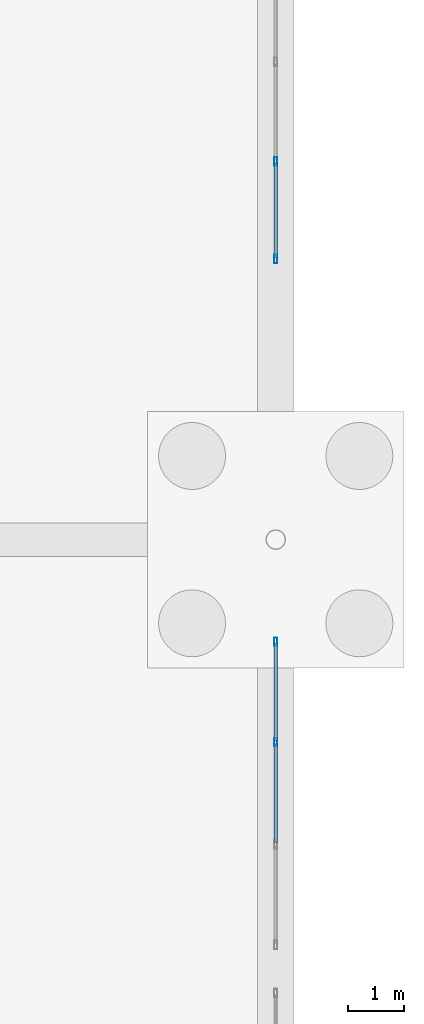
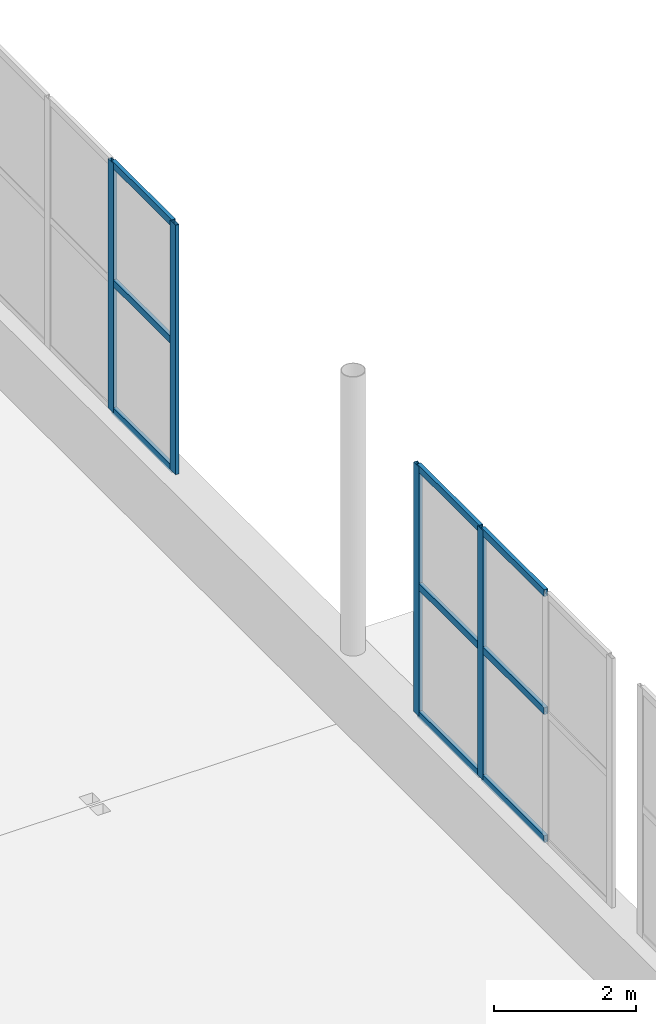
# One storey, part 89 of 139: 13 members, 2 elements without a shape of their own.
"""IFC4 building model written with IfcOpenShell, lengths in metres."""

from ifc_helpers import new_model, si_unit, direction, frame, origin, origin_2d, place, context, subcontext, project, spatial, hollow_rectangle, extrude, material, material_profile, profile_set, type_object, element, aggregate, save


model = new_model("IFC4")

# Units and contexts
model_context = context("Model", 3, precision=1e-05, world=origin(), true_north=direction((0.0, 1.0)))
body_context = subcontext(model_context, "Body", "Model", "MODEL_VIEW")
ifc_project = project(units=[si_unit("LENGTHUNIT", "METRE"), si_unit("AREAUNIT", "SQUARE_METRE"), si_unit("VOLUMEUNIT", "CUBIC_METRE"), si_unit("PLANEANGLEUNIT", "RADIAN"), si_unit("MASSUNIT", "GRAM", prefix="KILO")], contexts=[model_context])

# Site, building, storey
site_placement = place(None, origin())
site = spatial("IfcSite", under=ifc_project, at=site_placement, CompositionType="ELEMENT")
building_placement = place(site_placement, origin())
building = spatial("IfcBuilding", under=site, at=building_placement, Name="Kazenagashi Tramway Depot", CompositionType="ELEMENT")
storey_placement = place(building_placement, origin())
storey = spatial("IfcBuildingStorey", under=building, at=storey_placement, Name="L01", CompositionType="ELEMENT", Elevation=0.0)

# Curtain wall, members
ifc_material_1 = material(Name="Anodised Aluminium and Low-E Glazing", Category="aluminium")
curtain_wall_type_1 = type_object("IfcCurtainWallType", Name="CW-07", PredefinedType="USERDEFINED", material=ifc_material_1)
curtain_wall_1_placement = place(storey_placement, origin())
curtain_wall_1 = element("IfcCurtainWall", 1, at=curtain_wall_1_placement, inside=storey, type_object=curtain_wall_type_1, Name="Industrial Glazed Screen CW-07 CW-0007", ObjectType="GLAZED SCREEN", PredefinedType="USERDEFINED")
ifc_material_2 = material(Name="Anodised Aluminium", Category="aluminium")
ifc_material_profile_1 = material_profile(ifc_material_2, hollow_rectangle(XDim=0.06, YDim=0.15, WallThickness=0.004, at=origin_2d()), Name="RHS-150x60x4")
ifc_profile_set_1 = profile_set([ifc_material_profile_1], Name="Anodised Aluminium")
member_type_1 = type_object("IfcMemberType", Name="ML-01", PredefinedType="MULLION", material=ifc_profile_set_1)
member_1_placement = place(storey_placement, frame((196.0, 96.366667, 1.2), z_axis=(0.0, 0.0, 1.0), x_axis=(-1.0, 0.0, 0.0)))
member_1 = element("IfcMember", 2, at=member_1_placement, type_object=member_type_1, Name="CW-07 mullion 3", PredefinedType="MULLION", context=body_context, shape_type="SweptSolid", body=[
    extrude(hollow_rectangle(XDim=0.06, YDim=0.15, WallThickness=0.004, at=origin_2d()), origin(), (0.0, 0.0, 1.0), 4.292),
])
member_2_placement = place(storey_placement, frame((196.0, 98.17, 1.2), z_axis=(0.0, 0.0, 1.0), x_axis=(-1.0, 0.0, 0.0)))
member_2 = element("IfcMember", 3, at=member_2_placement, type_object=member_type_1, Name="CW-07 mullion 4", PredefinedType="MULLION", context=body_context, shape_type="SweptSolid", body=[
    extrude(hollow_rectangle(XDim=0.06, YDim=0.15, WallThickness=0.004, at=origin_2d()), origin(), (0.0, 0.0, 1.0), 4.292),
])

curtain_wall_type_2 = type_object("IfcCurtainWallType", Name="CW-05", PredefinedType="USERDEFINED", material=ifc_material_1)
curtain_wall_2_placement = place(storey_placement, origin())
curtain_wall_2 = element("IfcCurtainWall", 4, at=curtain_wall_2_placement, inside=storey, type_object=curtain_wall_type_2, Name="Industrial Glazed Screen CW-05 CW-0009", ObjectType="GLAZED SCREEN", PredefinedType="USERDEFINED")
member_3_placement = place(storey_placement, frame((196.0, 105.03, 1.2), z_axis=(0.0, 0.0, 1.0), x_axis=(-1.0, 0.0, 0.0)))
member_3 = element("IfcMember", 5, at=member_3_placement, type_object=member_type_1, Name="CW-05 mullion 1", PredefinedType="MULLION", context=body_context, shape_type="SweptSolid", body=[
    extrude(hollow_rectangle(XDim=0.06, YDim=0.15, WallThickness=0.004, at=origin_2d()), origin(), (0.0, 0.0, 1.0), 4.292),
])
member_4_placement = place(storey_placement, frame((196.0, 106.783333, 1.2), z_axis=(0.0, 0.0, 1.0), x_axis=(-1.0, 0.0, 0.0)))
member_4 = element("IfcMember", 6, at=member_4_placement, type_object=member_type_1, Name="CW-05 mullion 2", PredefinedType="MULLION", context=body_context, shape_type="SweptSolid", body=[
    extrude(hollow_rectangle(XDim=0.06, YDim=0.15, WallThickness=0.004, at=origin_2d()), origin(), (0.0, 0.0, 1.0), 4.292),
])

# Member
ifc_material_profile_2 = material_profile(ifc_material_2, hollow_rectangle(XDim=0.06, YDim=0.12, WallThickness=0.004, at=origin_2d()), Name="RHS-120x60x4")
ifc_profile_set_2 = profile_set([ifc_material_profile_2], Name="Anodised Aluminium")
member_type_2 = type_object("IfcMemberType", Name="TR-01", PredefinedType="USERDEFINED", material=ifc_profile_set_2)
member_5_placement = place(storey_placement, frame((196.0, 94.563333, 1.23), z_axis=(0.0, 1.0, 0.0), x_axis=(-1.0, 0.0, 0.0)))
member_5 = element("IfcMember", 7, at=member_5_placement, type_object=member_type_2, Name="CW-07 transom 2.1", ObjectType="TRANSOM", PredefinedType="USERDEFINED", context=body_context, shape_type="SweptSolid", body=[
    extrude(hollow_rectangle(XDim=0.06, YDim=0.12, WallThickness=0.004, at=origin_2d()), origin(), (0.0, 0.0, 1.0), 1.773334),
])

member_6_placement = place(storey_placement, frame((196.0, 94.563333, 3.432), z_axis=(0.0, 1.0, 0.0), x_axis=(-1.0, 0.0, 0.0)))
member_6 = element("IfcMember", 8, at=member_6_placement, type_object=member_type_2, Name="CW-07 transom 2.2", ObjectType="TRANSOM", PredefinedType="USERDEFINED", context=body_context, shape_type="SweptSolid", body=[
    extrude(hollow_rectangle(XDim=0.06, YDim=0.12, WallThickness=0.004, at=origin_2d()), origin(), (0.0, 0.0, 1.0), 1.773334),
])

member_7_placement = place(storey_placement, frame((196.0, 94.563333, 5.462), z_axis=(0.0, 1.0, 0.0), x_axis=(-1.0, 0.0, 0.0)))
member_7 = element("IfcMember", 9, at=member_7_placement, type_object=member_type_2, Name="CW-07 transom 2.3", ObjectType="TRANSOM", PredefinedType="USERDEFINED", context=body_context, shape_type="SweptSolid", body=[
    extrude(hollow_rectangle(XDim=0.06, YDim=0.12, WallThickness=0.004, at=origin_2d()), origin(), (0.0, 0.0, 1.0), 1.773334),
])

member_8_placement = place(storey_placement, frame((196.0, 96.396667, 1.23), z_axis=(0.0, 1.0, 0.0), x_axis=(-1.0, 0.0, 0.0)))
member_8 = element("IfcMember", 10, at=member_8_placement, type_object=member_type_2, Name="CW-07 transom 3.1", ObjectType="TRANSOM", PredefinedType="USERDEFINED", context=body_context, shape_type="SweptSolid", body=[
    extrude(hollow_rectangle(XDim=0.06, YDim=0.12, WallThickness=0.004, at=origin_2d()), origin(), (0.0, 0.0, 1.0), 1.743333),
])

member_9_placement = place(storey_placement, frame((196.0, 96.396667, 3.432), z_axis=(0.0, 1.0, 0.0), x_axis=(-1.0, 0.0, 0.0)))
member_9 = element("IfcMember", 11, at=member_9_placement, type_object=member_type_2, Name="CW-07 transom 3.2", ObjectType="TRANSOM", PredefinedType="USERDEFINED", context=body_context, shape_type="SweptSolid", body=[
    extrude(hollow_rectangle(XDim=0.06, YDim=0.12, WallThickness=0.004, at=origin_2d()), origin(), (0.0, 0.0, 1.0), 1.743333),
])

member_10_placement = place(storey_placement, frame((196.0, 96.396667, 5.462), z_axis=(0.0, 1.0, 0.0), x_axis=(-1.0, 0.0, 0.0)))
member_10 = element("IfcMember", 12, at=member_10_placement, type_object=member_type_2, Name="CW-07 transom 3.3", ObjectType="TRANSOM", PredefinedType="USERDEFINED", context=body_context, shape_type="SweptSolid", body=[
    extrude(hollow_rectangle(XDim=0.06, YDim=0.12, WallThickness=0.004, at=origin_2d()), origin(), (0.0, 0.0, 1.0), 1.743333),
])

aggregate(curtain_wall_1, [member_1, member_2, member_5, member_6, member_7, member_8, member_9, member_10])

member_11_placement = place(storey_placement, frame((196.0, 105.06, 1.23), z_axis=(0.0, 1.0, 0.0), x_axis=(-1.0, 0.0, 0.0)))
member_11 = element("IfcMember", 13, at=member_11_placement, type_object=member_type_2, Name="CW-05 transom 1.1", ObjectType="TRANSOM", PredefinedType="USERDEFINED", context=body_context, shape_type="SweptSolid", body=[
    extrude(hollow_rectangle(XDim=0.06, YDim=0.12, WallThickness=0.004, at=origin_2d()), origin(), (0.0, 0.0, 1.0), 1.693333),
])

member_12_placement = place(storey_placement, frame((196.0, 105.06, 3.432), z_axis=(0.0, 1.0, 0.0), x_axis=(-1.0, 0.0, 0.0)))
member_12 = element("IfcMember", 14, at=member_12_placement, type_object=member_type_2, Name="CW-05 transom 1.2", ObjectType="TRANSOM", PredefinedType="USERDEFINED", context=body_context, shape_type="SweptSolid", body=[
    extrude(hollow_rectangle(XDim=0.06, YDim=0.12, WallThickness=0.004, at=origin_2d()), origin(), (0.0, 0.0, 1.0), 1.693333),
])

member_13_placement = place(storey_placement, frame((196.0, 105.06, 5.462), z_axis=(0.0, 1.0, 0.0), x_axis=(-1.0, 0.0, 0.0)))
member_13 = element("IfcMember", 15, at=member_13_placement, type_object=member_type_2, Name="CW-05 transom 1.3", ObjectType="TRANSOM", PredefinedType="USERDEFINED", context=body_context, shape_type="SweptSolid", body=[
    extrude(hollow_rectangle(XDim=0.06, YDim=0.12, WallThickness=0.004, at=origin_2d()), origin(), (0.0, 0.0, 1.0), 1.693333),
])

aggregate(curtain_wall_2, [member_3, member_4, member_11, member_12, member_13])

save(model, "model.ifc")
